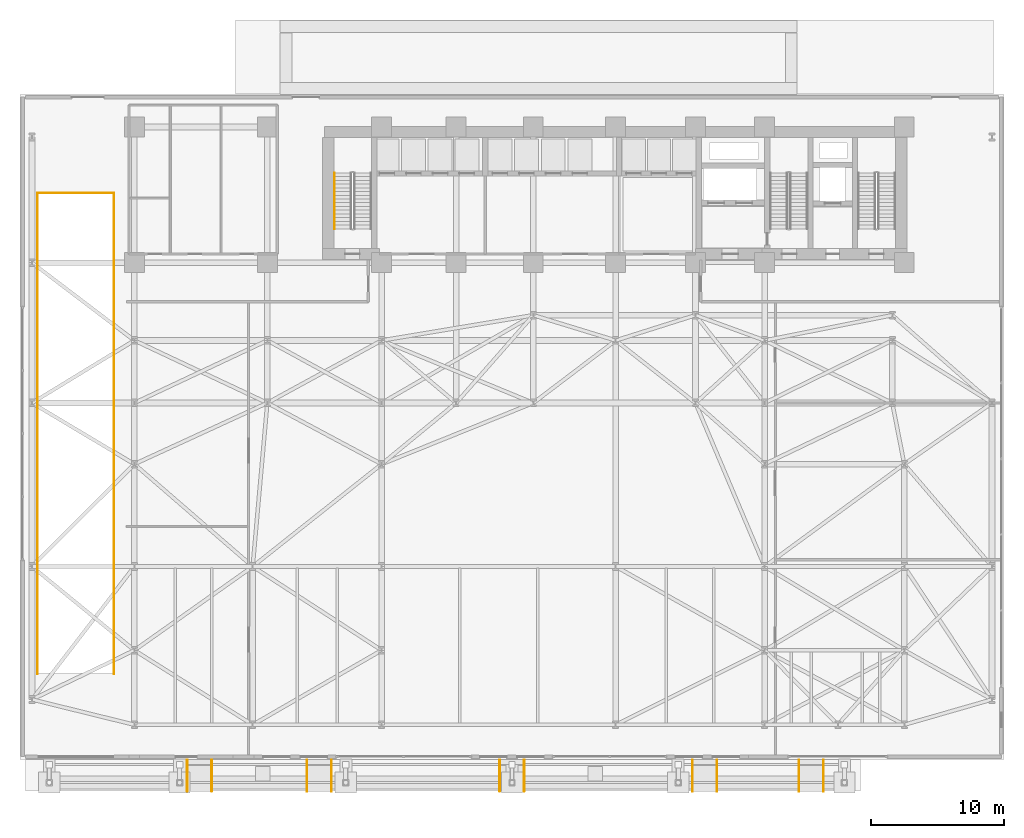
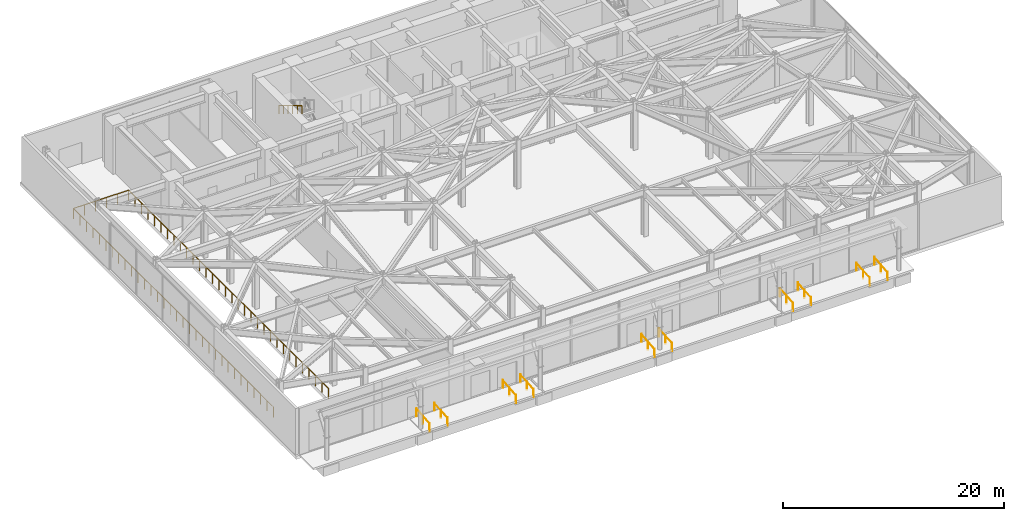
# One storey, part 28 of 31: 14 railings.
"""IFC4 building model written with IfcOpenShell, lengths in metres."""

from ifc_helpers import new_model, si_unit, direction, frame, origin, origin_2d, place, context, subcontext, project, spatial, circle, extrude, material, layer, layer_set, type_object, element, save


model = new_model("IFC4")

# Units and contexts
model_context = context("Model", 3, precision=1e-05, world=origin(), true_north=direction((0.0, 1.0)))
body_context = subcontext(model_context, "Body", "Model", "MODEL_VIEW")
ifc_project = project(units=[si_unit("LENGTHUNIT", "METRE"), si_unit("AREAUNIT", "SQUARE_METRE"), si_unit("VOLUMEUNIT", "CUBIC_METRE"), si_unit("PLANEANGLEUNIT", "RADIAN"), si_unit("MASSUNIT", "GRAM", prefix="KILO")], contexts=[model_context])

# Site, building, storey
site_placement = place(None, origin())
site = spatial("IfcSite", under=ifc_project, at=site_placement, CompositionType="ELEMENT")
building_placement = place(site_placement, origin())
building = spatial("IfcBuilding", under=site, at=building_placement, Name="Kravanh Interchange Tower", CompositionType="ELEMENT")
storey_placement = place(building_placement, origin())
storey = spatial("IfcBuildingStorey", under=building, at=storey_placement, Name="L00", CompositionType="ELEMENT", Elevation=0.0)

# Railings
ifc_material_1 = material(Name="Stainless Steel 316", Category="steel")
ifc_layer_1 = layer(ifc_material_1, 0.050048828125)
ifc_layer_set_1 = layer_set([ifc_layer_1], Name="Plaza Ramp Accessible Handrail Stainless 316 920mm")
railing_type_1 = type_object("IfcRailingType", Name="Plaza Ramp Accessible Handrail Stainless 316 920mm", PredefinedType="HANDRAIL", material=ifc_layer_set_1)
for number, where, name in (
    (1, (12.580078125, -2.39990234375, -0.199951171875), "Pedestrian Ramp 1 Handrail W"),
    (2, (14.419921875, -2.39990234375, -0.199951171875), "Pedestrian Ramp 1 Handrail E"),
    (3, (21.580078125, -2.39990234375, -0.199951171875), "Pedestrian Ramp 2 Handrail W"),
    (4, (23.419921875, -2.39990234375, -0.199951171875), "Pedestrian Ramp 2 Handrail E"),
    (5, (36.080078125, -2.39990234375, -0.199951171875), "Pedestrian Ramp 3 Handrail W"),
    (6, (37.919921875, -2.39990234375, -0.199951171875), "Pedestrian Ramp 3 Handrail E"),
    (7, (50.580078125, -2.39990234375, -0.199951171875), "Pedestrian Ramp 4 Handrail W"),
    (8, (52.419921875, -2.39990234375, -0.199951171875), "Pedestrian Ramp 4 Handrail E"),
    (9, (58.580078125, -2.39990234375, -0.199951171875), "Pedestrian Ramp 5 Handrail W"),
    (10, (60.419921875, -2.39990234375, -0.199951171875), "Pedestrian Ramp 5 Handrail E"),
):
    element("IfcRailing", number, at=place(storey_placement, frame(where)), inside=storey, type_object=railing_type_1, Name=name, PredefinedType="HANDRAIL", context=body_context, shape_type="SweptSolid", body=[
        extrude(circle(Radius=0.02392578125, at=origin_2d()), frame((0.0, 0.0, 0.89599609375), z_axis=(0.0, 0.996429627898, 0.084427463816), x_axis=(-1.0, 0.0, 0.0)), (0.0, 0.0, 1.0), 2.368408203125),
        extrude(circle(Radius=0.02099609375, at=origin_2d()), origin(), (0.0, 0.0, 1.0), 0.871826171875),
        extrude(circle(Radius=0.02099609375, at=origin_2d()), frame((0.0, 1.179931640625, 0.10009765625)), (0.0, 0.0, 1.0), 0.871826171875),
        extrude(circle(Radius=0.02099609375, at=origin_2d()), frame((0.0, 2.35986328125, 0.199951171875)), (0.0, 0.0, 1.0), 0.871826171875),
    ])
ifc_material_2 = material(Name="Stainless Steel 304", Category="steel")
ifc_layer_2 = layer(ifc_material_2, 0.044921875)
ifc_layer_set_2 = layer_set([ifc_layer_2], Name="Tubular Stair Handrail Stainless 304 900mm")
railing_type_2 = type_object("IfcRailingType", Name="Tubular Stair Handrail Stainless 304 900mm", PredefinedType="HANDRAIL", material=ifc_layer_set_2)
railing_1_placement = place(storey_placement, frame((23.64990234375, 44.10009765625, 2.86865234375)))
element("IfcRailing", 11, at=railing_1_placement, inside=storey, type_object=railing_type_2, Name="L00 ST3 stair handrail 2", PredefinedType="HANDRAIL", context=body_context, shape_type="SweptSolid", body=[
    extrude(circle(Radius=0.02392578125, at=origin_2d()), frame((0.0, 0.0, 0.8759765625), z_axis=(0.0, -0.856489757249, 0.516164020179), x_axis=(1.0, 0.0, 0.0)), (0.0, 0.0, 1.0), 4.904052734375),
    extrude(circle(Radius=0.02099609375, at=origin_2d()), origin(), (0.0, 0.0, 1.0), 0.851806640625),
    extrude(circle(Radius=0.02099609375, at=origin_2d()), frame((0.0, -0.840087890625, 0.50634765625)), (0.0, 0.0, 1.0), 0.851806640625),
    extrude(circle(Radius=0.02099609375, at=origin_2d()), frame((0.0, -1.68017578125, 1.012451171875)), (0.0, 0.0, 1.0), 0.851806640625),
    extrude(circle(Radius=0.02099609375, at=origin_2d()), frame((0.0, -2.52001953125, 1.518798828125)), (0.0, 0.0, 1.0), 0.851806640625),
    extrude(circle(Radius=0.02099609375, at=origin_2d()), frame((0.0, -3.360107421875, 2.02490234375)), (0.0, 0.0, 1.0), 0.851806640625),
    extrude(circle(Radius=0.02099609375, at=origin_2d()), frame((0.0, -4.2001953125, 2.53125)), (0.0, 0.0, 1.0), 0.851806640625),
])
ifc_material_3 = material(Name="Structural Steel S355", Category="steel")
ifc_layer_3 = layer(ifc_material_3, 0.070068359375)
ifc_layer_set_3 = layer_set([ifc_layer_3], Name="Wind Storey Perimeter Safety Guardrail Structural Steel S355 1150mm")
railing_type_3 = type_object("IfcRailingType", Name="Wind Storey Perimeter Safety Guardrail Structural Steel S355 1150mm", PredefinedType="GUARDRAIL", material=ifc_layer_set_3)
railing_2_placement = place(storey_placement, frame((1.320068359375, 6.419921875, 0.0)))
element("IfcRailing", 12, at=railing_2_placement, inside=storey, type_object=railing_type_3, Name="L00 Ramp Well Deck Guardrail 1", PredefinedType="GUARDRAIL", context=body_context, shape_type="SweptSolid", body=[
    extrude(circle(Radius=0.02392578125, at=origin_2d()), frame((0.0, 0.0, 1.1259765625), z_axis=(0.0, 1.0, 0.0), x_axis=(-1.0, 0.0, 0.0)), (0.0, 0.0, 1.0), 36.16015625),
    extrude(circle(Radius=0.02099609375, at=origin_2d()), origin(), (0.0, 0.0, 1.0), 1.101806640625),
    extrude(circle(Radius=0.02099609375, at=origin_2d()), frame((0.0, 1.16650390625, 0.0)), (0.0, 0.0, 1.0), 1.101806640625),
    extrude(circle(Radius=0.02099609375, at=origin_2d()), frame((0.0, 2.3330078125, 0.0)), (0.0, 0.0, 1.0), 1.101806640625),
    extrude(circle(Radius=0.02099609375, at=origin_2d()), frame((0.0, 3.499267578125, 0.0)), (0.0, 0.0, 1.0), 1.101806640625),
    extrude(circle(Radius=0.02099609375, at=origin_2d()), frame((0.0, 4.665771484375, 0.0)), (0.0, 0.0, 1.0), 1.101806640625),
    extrude(circle(Radius=0.02099609375, at=origin_2d()), frame((0.0, 5.832275390625, 0.0)), (0.0, 0.0, 1.0), 1.101806640625),
    extrude(circle(Radius=0.02099609375, at=origin_2d()), frame((0.0, 6.998779296875, 0.0)), (0.0, 0.0, 1.0), 1.101806640625),
    extrude(circle(Radius=0.02099609375, at=origin_2d()), frame((0.0, 8.165283203125, 0.0)), (0.0, 0.0, 1.0), 1.101806640625),
    extrude(circle(Radius=0.02099609375, at=origin_2d()), frame((0.0, 9.33154296875, 0.0)), (0.0, 0.0, 1.0), 1.101806640625),
    extrude(circle(Radius=0.02099609375, at=origin_2d()), frame((0.0, 10.498046875, 0.0)), (0.0, 0.0, 1.0), 1.101806640625),
    extrude(circle(Radius=0.02099609375, at=origin_2d()), frame((0.0, 11.66455078125, 0.0)), (0.0, 0.0, 1.0), 1.101806640625),
    extrude(circle(Radius=0.02099609375, at=origin_2d()), frame((0.0, 12.8310546875, 0.0)), (0.0, 0.0, 1.0), 1.101806640625),
    extrude(circle(Radius=0.02099609375, at=origin_2d()), frame((0.0, 13.99755859375, 0.0)), (0.0, 0.0, 1.0), 1.101806640625),
    extrude(circle(Radius=0.02099609375, at=origin_2d()), frame((0.0, 15.163818359375, 0.0)), (0.0, 0.0, 1.0), 1.101806640625),
    extrude(circle(Radius=0.02099609375, at=origin_2d()), frame((0.0, 16.330322265625, 0.0)), (0.0, 0.0, 1.0), 1.101806640625),
    extrude(circle(Radius=0.02099609375, at=origin_2d()), frame((0.0, 17.496826171875, 0.0)), (0.0, 0.0, 1.0), 1.101806640625),
    extrude(circle(Radius=0.02099609375, at=origin_2d()), frame((0.0, 18.663330078125, 0.0)), (0.0, 0.0, 1.0), 1.101806640625),
    extrude(circle(Radius=0.02099609375, at=origin_2d()), frame((0.0, 19.829833984375, 0.0)), (0.0, 0.0, 1.0), 1.101806640625),
    extrude(circle(Radius=0.02099609375, at=origin_2d()), frame((0.0, 20.996337890625, 0.0)), (0.0, 0.0, 1.0), 1.101806640625),
    extrude(circle(Radius=0.02099609375, at=origin_2d()), frame((0.0, 22.16259765625, 0.0)), (0.0, 0.0, 1.0), 1.101806640625),
    extrude(circle(Radius=0.02099609375, at=origin_2d()), frame((0.0, 23.3291015625, 0.0)), (0.0, 0.0, 1.0), 1.101806640625),
    extrude(circle(Radius=0.02099609375, at=origin_2d()), frame((0.0, 24.49560546875, 0.0)), (0.0, 0.0, 1.0), 1.101806640625),
    extrude(circle(Radius=0.02099609375, at=origin_2d()), frame((0.0, 25.662109375, 0.0)), (0.0, 0.0, 1.0), 1.101806640625),
    extrude(circle(Radius=0.02099609375, at=origin_2d()), frame((0.0, 26.82861328125, 0.0)), (0.0, 0.0, 1.0), 1.101806640625),
    extrude(circle(Radius=0.02099609375, at=origin_2d()), frame((0.0, 27.994873046875, 0.0)), (0.0, 0.0, 1.0), 1.101806640625),
    extrude(circle(Radius=0.02099609375, at=origin_2d()), frame((0.0, 29.161376953125, 0.0)), (0.0, 0.0, 1.0), 1.101806640625),
    extrude(circle(Radius=0.02099609375, at=origin_2d()), frame((0.0, 30.327880859375, 0.0)), (0.0, 0.0, 1.0), 1.101806640625),
    extrude(circle(Radius=0.02099609375, at=origin_2d()), frame((0.0, 31.494384765625, 0.0)), (0.0, 0.0, 1.0), 1.101806640625),
    extrude(circle(Radius=0.02099609375, at=origin_2d()), frame((0.0, 32.660888671875, 0.0)), (0.0, 0.0, 1.0), 1.101806640625),
    extrude(circle(Radius=0.02099609375, at=origin_2d()), frame((0.0, 33.8271484375, 0.0)), (0.0, 0.0, 1.0), 1.101806640625),
    extrude(circle(Radius=0.02099609375, at=origin_2d()), frame((0.0, 34.99365234375, 0.0)), (0.0, 0.0, 1.0), 1.101806640625),
    extrude(circle(Radius=0.02099609375, at=origin_2d()), frame((0.0, 36.16015625, 0.0)), (0.0, 0.0, 1.0), 1.101806640625),
])
railing_3_placement = place(storey_placement, frame((1.320068359375, 42.580078125, 0.0)))
element("IfcRailing", 13, at=railing_3_placement, inside=storey, type_object=railing_type_3, Name="L00 Ramp Well Deck Guardrail 2", PredefinedType="GUARDRAIL", context=body_context, shape_type="SweptSolid", body=[
    extrude(circle(Radius=0.02392578125, at=origin_2d()), frame((0.0, 0.0, 1.1259765625), z_axis=(1.0, 0.0, 0.0), x_axis=(0.0, 1.0, 0.0)), (0.0, 0.0, 1.0), 5.760009765625),
    extrude(circle(Radius=0.02099609375, at=origin_2d()), origin(), (0.0, 0.0, 1.0), 1.101806640625),
    extrude(circle(Radius=0.02099609375, at=origin_2d()), frame((1.152099609375, 0.0, 0.0)), (0.0, 0.0, 1.0), 1.101806640625),
    extrude(circle(Radius=0.02099609375, at=origin_2d()), frame((2.303955078125, 0.0, 0.0)), (0.0, 0.0, 1.0), 1.101806640625),
    extrude(circle(Radius=0.02099609375, at=origin_2d()), frame((3.4560546875, 0.0, 0.0)), (0.0, 0.0, 1.0), 1.101806640625),
    extrude(circle(Radius=0.02099609375, at=origin_2d()), frame((4.60791015625, 0.0, 0.0)), (0.0, 0.0, 1.0), 1.101806640625),
    extrude(circle(Radius=0.02099609375, at=origin_2d()), frame((5.760009765625, 0.0, 0.0)), (0.0, 0.0, 1.0), 1.101806640625),
])
railing_4_placement = place(storey_placement, frame((7.080078125, 42.580078125, 0.0)))
element("IfcRailing", 14, at=railing_4_placement, inside=storey, type_object=railing_type_3, Name="L00 Ramp Well Deck Guardrail 3", PredefinedType="GUARDRAIL", context=body_context, shape_type="SweptSolid", body=[
    extrude(circle(Radius=0.02392578125, at=origin_2d()), frame((0.0, 0.0, 1.1259765625), z_axis=(0.0, -1.0, 0.0), x_axis=(1.0, 0.0, 0.0)), (0.0, 0.0, 1.0), 36.16015625),
    extrude(circle(Radius=0.02099609375, at=origin_2d()), origin(), (0.0, 0.0, 1.0), 1.101806640625),
    extrude(circle(Radius=0.02099609375, at=origin_2d()), frame((0.0, -1.16650390625, 0.0)), (0.0, 0.0, 1.0), 1.101806640625),
    extrude(circle(Radius=0.02099609375, at=origin_2d()), frame((0.0, -2.3330078125, 0.0)), (0.0, 0.0, 1.0), 1.101806640625),
    extrude(circle(Radius=0.02099609375, at=origin_2d()), frame((0.0, -3.499267578125, 0.0)), (0.0, 0.0, 1.0), 1.101806640625),
    extrude(circle(Radius=0.02099609375, at=origin_2d()), frame((0.0, -4.665771484375, 0.0)), (0.0, 0.0, 1.0), 1.101806640625),
    extrude(circle(Radius=0.02099609375, at=origin_2d()), frame((0.0, -5.832275390625, 0.0)), (0.0, 0.0, 1.0), 1.101806640625),
    extrude(circle(Radius=0.02099609375, at=origin_2d()), frame((0.0, -6.998779296875, 0.0)), (0.0, 0.0, 1.0), 1.101806640625),
    extrude(circle(Radius=0.02099609375, at=origin_2d()), frame((0.0, -8.165283203125, 0.0)), (0.0, 0.0, 1.0), 1.101806640625),
    extrude(circle(Radius=0.02099609375, at=origin_2d()), frame((0.0, -9.33154296875, 0.0)), (0.0, 0.0, 1.0), 1.101806640625),
    extrude(circle(Radius=0.02099609375, at=origin_2d()), frame((0.0, -10.498046875, 0.0)), (0.0, 0.0, 1.0), 1.101806640625),
    extrude(circle(Radius=0.02099609375, at=origin_2d()), frame((0.0, -11.66455078125, 0.0)), (0.0, 0.0, 1.0), 1.101806640625),
    extrude(circle(Radius=0.02099609375, at=origin_2d()), frame((0.0, -12.8310546875, 0.0)), (0.0, 0.0, 1.0), 1.101806640625),
    extrude(circle(Radius=0.02099609375, at=origin_2d()), frame((0.0, -13.99755859375, 0.0)), (0.0, 0.0, 1.0), 1.101806640625),
    extrude(circle(Radius=0.02099609375, at=origin_2d()), frame((0.0, -15.163818359375, 0.0)), (0.0, 0.0, 1.0), 1.101806640625),
    extrude(circle(Radius=0.02099609375, at=origin_2d()), frame((0.0, -16.330322265625, 0.0)), (0.0, 0.0, 1.0), 1.101806640625),
    extrude(circle(Radius=0.02099609375, at=origin_2d()), frame((0.0, -17.496826171875, 0.0)), (0.0, 0.0, 1.0), 1.101806640625),
    extrude(circle(Radius=0.02099609375, at=origin_2d()), frame((0.0, -18.663330078125, 0.0)), (0.0, 0.0, 1.0), 1.101806640625),
    extrude(circle(Radius=0.02099609375, at=origin_2d()), frame((0.0, -19.829833984375, 0.0)), (0.0, 0.0, 1.0), 1.101806640625),
    extrude(circle(Radius=0.02099609375, at=origin_2d()), frame((0.0, -20.996337890625, 0.0)), (0.0, 0.0, 1.0), 1.101806640625),
    extrude(circle(Radius=0.02099609375, at=origin_2d()), frame((0.0, -22.16259765625, 0.0)), (0.0, 0.0, 1.0), 1.101806640625),
    extrude(circle(Radius=0.02099609375, at=origin_2d()), frame((0.0, -23.3291015625, 0.0)), (0.0, 0.0, 1.0), 1.101806640625),
    extrude(circle(Radius=0.02099609375, at=origin_2d()), frame((0.0, -24.49560546875, 0.0)), (0.0, 0.0, 1.0), 1.101806640625),
    extrude(circle(Radius=0.02099609375, at=origin_2d()), frame((0.0, -25.662109375, 0.0)), (0.0, 0.0, 1.0), 1.101806640625),
    extrude(circle(Radius=0.02099609375, at=origin_2d()), frame((0.0, -26.82861328125, 0.0)), (0.0, 0.0, 1.0), 1.101806640625),
    extrude(circle(Radius=0.02099609375, at=origin_2d()), frame((0.0, -27.994873046875, 0.0)), (0.0, 0.0, 1.0), 1.101806640625),
    extrude(circle(Radius=0.02099609375, at=origin_2d()), frame((0.0, -29.161376953125, 0.0)), (0.0, 0.0, 1.0), 1.101806640625),
    extrude(circle(Radius=0.02099609375, at=origin_2d()), frame((0.0, -30.327880859375, 0.0)), (0.0, 0.0, 1.0), 1.101806640625),
    extrude(circle(Radius=0.02099609375, at=origin_2d()), frame((0.0, -31.494384765625, 0.0)), (0.0, 0.0, 1.0), 1.101806640625),
    extrude(circle(Radius=0.02099609375, at=origin_2d()), frame((0.0, -32.660888671875, 0.0)), (0.0, 0.0, 1.0), 1.101806640625),
    extrude(circle(Radius=0.02099609375, at=origin_2d()), frame((0.0, -33.8271484375, 0.0)), (0.0, 0.0, 1.0), 1.101806640625),
    extrude(circle(Radius=0.02099609375, at=origin_2d()), frame((0.0, -34.99365234375, 0.0)), (0.0, 0.0, 1.0), 1.101806640625),
    extrude(circle(Radius=0.02099609375, at=origin_2d()), frame((0.0, -36.16015625, 0.0)), (0.0, 0.0, 1.0), 1.101806640625),
])

save(model, "model.ifc")
